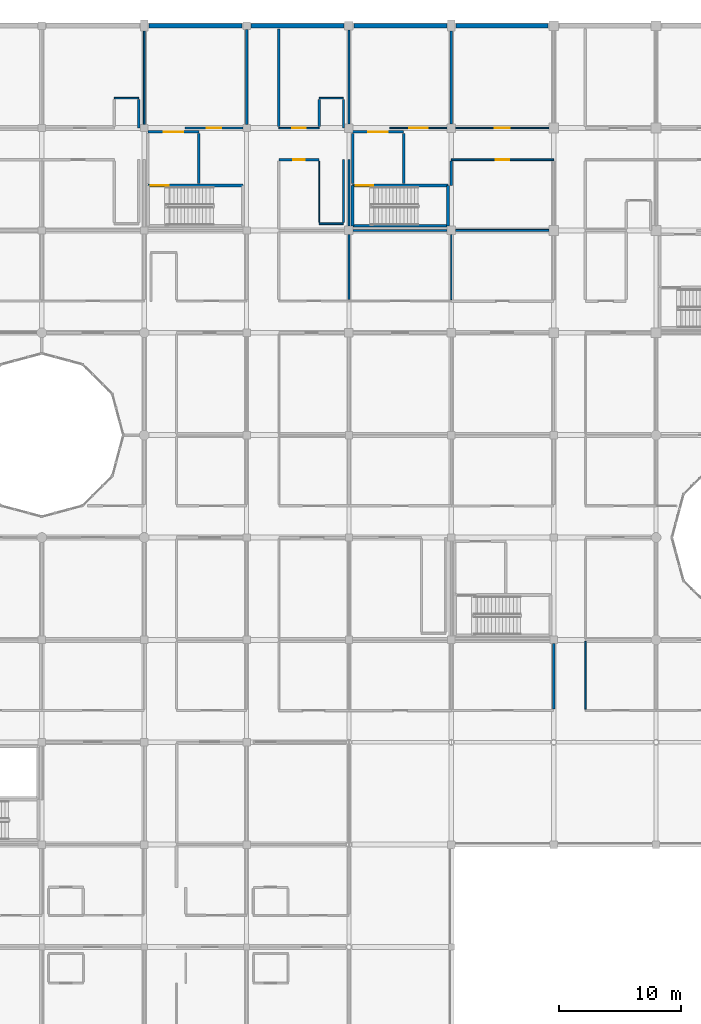
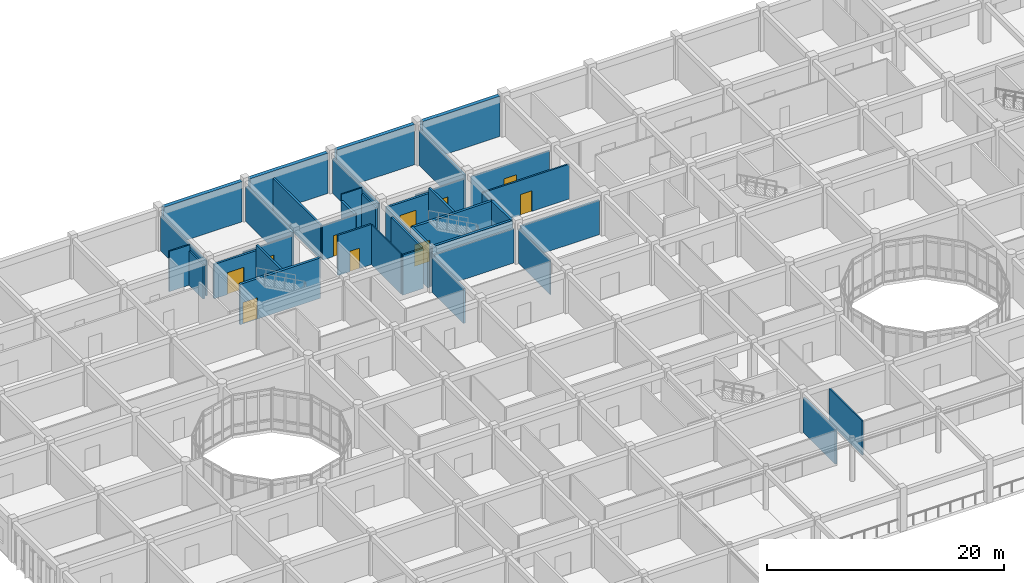
# One storey, part 110 of 144: 41 walls, 10 doors, 10 openings.
"""IFC4 building model written with IfcOpenShell, lengths in metres."""

import ifcopenshell
import ifcopenshell.guid

model = None  # the IFC model being written
_history = None  # IfcOwnerHistory: only IFC2X3 demands one
_inside = {}  # id of a spatial element -> (the spatial element, [elements in it])
_under = {}  # id of a project, library or spatial element -> (it, [spatial elements below it])
_declared = {}  # id of a project -> (the project, [libraries it declares])
_typed = {}  # id of a type object -> (the type object, [elements of that type])
_made_of = {}  # id of a material, layer set ... -> (it, [elements and type objects made of it])


def new_model(schema):
    """Start an empty IFC model of exactly this schema.

    Asked for "IFC4X3", IfcOpenShell would pick the latest addendum, in which some entities
    have other attributes; the version numbers below select the first issue.
    IFC2X3 requires an IfcOwnerHistory on every rooted entity: one is made here for all.
    """
    global model, _history
    if schema == "IFC4X3":
        model = ifcopenshell.file(schema_version=(4, 3, 0, 0))
    else:
        model = ifcopenshell.file(schema=schema)
    _inside.clear()
    _under.clear()
    _declared.clear()
    _typed.clear()
    _made_of.clear()
    _history = None
    if model.schema == "IFC2X3":
        org = make("IfcOrganization", Name="unknown")
        user = make(
            "IfcPersonAndOrganization",
            ThePerson=make("IfcPerson", FamilyName="unknown"),
            TheOrganization=org,
        )
        app = make(
            "IfcApplication",
            ApplicationDeveloper=org,
            Version="unknown",
            ApplicationFullName="unknown",
            ApplicationIdentifier="unknown",
        )
        _history = make(
            "IfcOwnerHistory",
            OwningUser=user,
            OwningApplication=app,
            ChangeAction="ADDED",
            CreationDate=0,
        )
    return model


def make(cls, **values):
    """One entity of the class cls with the attributes given. An attribute that is None is left unset."""
    return model.create_entity(
        cls, **{name: value for name, value in values.items() if value is not None}
    )


def rooted(cls, **values):
    """An entity with a GlobalId (a new one), such as an element, a storey or a relation."""
    return make(cls, GlobalId=ifcopenshell.guid.new(), OwnerHistory=_history, **values)


def si_unit(unit_type, name, prefix=None):
    """IfcSIUnit, for example si_unit("LENGTHUNIT", "METRE", prefix="MILLI")."""
    return make("IfcSIUnit", UnitType=unit_type, Prefix=prefix, Name=name)


def assignment(units):
    """IfcUnitAssignment: the units of a project."""
    return None if units is None else make("IfcUnitAssignment", Units=units)


def point(xyz):
    """IfcCartesianPoint."""
    return None if xyz is None else make("IfcCartesianPoint", Coordinates=xyz)


def direction(xyz):
    """IfcDirection."""
    return None if xyz is None else make("IfcDirection", DirectionRatios=xyz)


def frame(location, z_axis=None, x_axis=None):
    """IfcAxis2Placement3D, a coordinate frame: its origin and axes. An axis left out is left unset."""
    return make(
        "IfcAxis2Placement3D",
        Location=point(location),
        Axis=direction(z_axis),
        RefDirection=direction(x_axis),
    )


def frame_2d(location, x_axis=None):
    """IfcAxis2Placement2D, a coordinate frame in the plane: its origin and x axis."""
    return make(
        "IfcAxis2Placement2D", Location=point(location), RefDirection=direction(x_axis)
    )


def origin():
    """The frame at (0, 0, 0) with its axes left unset."""
    return frame((0.0, 0.0, 0.0))


def place(relative_to, where):
    """IfcLocalPlacement: puts the frame where relative to a parent placement (None: the world)."""
    return make(
        "IfcLocalPlacement", PlacementRelTo=relative_to, RelativePlacement=where
    )


def context(
    kind, dimensions, precision=None, world=None, true_north=None, identifier=None
):
    """IfcGeometricRepresentationContext, for example the 3D "Model" context."""
    return make(
        "IfcGeometricRepresentationContext",
        ContextIdentifier=identifier,
        ContextType=kind,
        CoordinateSpaceDimension=dimensions,
        Precision=precision,
        WorldCoordinateSystem=world,
        TrueNorth=true_north,
    )


def subcontext(parent, identifier, kind, view, scale=None):
    """IfcGeometricRepresentationSubContext, for example "Body" below "Model"."""
    return make(
        "IfcGeometricRepresentationSubContext",
        ContextIdentifier=identifier,
        ContextType=kind,
        ParentContext=parent,
        TargetScale=scale,
        TargetView=view,
    )


def project(units=None, contexts=None):
    """IfcProject with its units and contexts."""
    return rooted(
        "IfcProject",
        Name="project",
        RepresentationContexts=contexts,
        UnitsInContext=assignment(units),
    )


def spatial(cls, under=None, at=None, **own):
    """A site, building, storey or space (cls), placed at a placement, below another one or the project."""
    s = rooted(cls, ObjectPlacement=at, **own)
    if under is not None:
        _under.setdefault(under.id(), (under, []))[1].append(s)
    return s


def profile(cls, at=None, kind="AREA", **sizes):
    """A parametric profile (cls). Its sizes go by their IFC names, for example OverallWidth=200.0."""
    return make(cls, ProfileType=kind, Position=at, **sizes)


def rectangle(**sizes):
    """IfcRectangleProfileDef."""
    return profile("IfcRectangleProfileDef", **sizes)


def extrude(swept, where, along, depth):
    """IfcExtrudedAreaSolid: the profile swept, set in the frame where, extruded along a direction by depth."""
    return make(
        "IfcExtrudedAreaSolid",
        SweptArea=swept,
        Position=where,
        ExtrudedDirection=direction(along),
        Depth=depth,
    )


def shape(context_of_items, identifier, shape_type, items):
    """IfcShapeRepresentation: the items that make up one representation, for example the "Body"."""
    return make(
        "IfcShapeRepresentation",
        ContextOfItems=context_of_items,
        RepresentationIdentifier=identifier,
        RepresentationType=shape_type,
        Items=items,
    )


def material(Name=None, Category=None):
    """IfcMaterial."""
    return make("IfcMaterial", Name=Name, Category=Category)


def layer(
    of_material, thickness, ventilated=None, Name=None, Category=None, Priority=None
):
    """IfcMaterialLayer: one layer of a wall or slab, of a material (None: an air gap)."""
    return make(
        "IfcMaterialLayer",
        Material=of_material,
        LayerThickness=thickness,
        IsVentilated=ventilated,
        Name=Name,
        Category=Category,
        Priority=Priority,
    )


def layer_set(layers, Name=None):
    """IfcMaterialLayerSet."""
    return make("IfcMaterialLayerSet", MaterialLayers=layers, LayerSetName=Name)


def made_of(thing, what):
    """Note that an element or type object is made of a material, layer set ...; save() writes the relation."""
    if what is not None:
        _made_of.setdefault(what.id(), (what, []))[1].append(thing)
    return thing


def type_object(cls, material=None, **own):
    """A type object (cls), such as IfcWallType, which elements share."""
    return made_of(rooted(cls, **own), material)


def element(
    cls,
    number,
    at=None,
    inside=None,
    cuts=None,
    type_object=None,
    material=None,
    context=None,
    identifier="Body",
    shape_type=None,
    held_by="IfcProductDefinitionShape",
    body=None,
    shapes=None,
    **own,
):
    """One element of the class cls, such as IfcWall. Its Tag is "e" and its number.

    at: its placement. inside: the storey or other place that contains it. cuts: it is an
    opening in that element (IfcRelVoidsElement). A single representation is given by context,
    identifier, shape_type and body (its items); several are given by shapes. held_by: the class
    of the entity that holds the representations. save() writes the other relations.
    """
    e = rooted(cls, Tag="e%d" % number, ObjectPlacement=at, **own)
    if body is not None:
        shapes = [shape(context, identifier, shape_type, body)]
    if shapes is not None:
        e.Representation = make(held_by, Representations=shapes)
    if inside is not None:
        _inside.setdefault(inside.id(), (inside, []))[1].append(e)
    if cuts is not None:
        rooted(
            "IfcRelVoidsElement", RelatingBuildingElement=cuts, RelatedOpeningElement=e
        )
    if type_object is not None:
        _typed.setdefault(type_object.id(), (type_object, []))[1].append(e)
    return made_of(e, material)


def fill(opening, filler):
    """IfcRelFillsElement: the door or window that sits in an opening."""
    return rooted(
        "IfcRelFillsElement",
        RelatingOpeningElement=opening,
        RelatedBuildingElement=filler,
    )


def aggregate(whole, parts):
    """IfcRelAggregates: a whole, such as a stair, and the parts it consists of."""
    return rooted("IfcRelAggregates", RelatingObject=whole, RelatedObjects=parts)


def save(model, path):
    """Write the relations noted so far, then the file.

    IfcRelAggregates (storeys below a building ...), IfcRelContainedInSpatialStructure (elements
    in a storey), IfcRelDefinesByType, IfcRelAssociatesMaterial and IfcRelDeclares: one each for
    every whole, place, type object, material and project.
    """
    for whole, parts in _under.values():
        aggregate(whole, parts)
    for where, things in _inside.values():
        rooted(
            "IfcRelContainedInSpatialStructure",
            RelatedElements=things,
            RelatingStructure=where,
        )
    for kind, things in _typed.values():
        rooted("IfcRelDefinesByType", RelatedObjects=things, RelatingType=kind)
    for what, things in _made_of.values():
        rooted("IfcRelAssociatesMaterial", RelatedObjects=things, RelatingMaterial=what)
    for by, libraries in _declared.values():
        rooted("IfcRelDeclares", RelatingContext=by, RelatedDefinitions=libraries)
    model.write(path)


model = new_model("IFC4")

# Units and contexts
model_context = context("Model", 3, precision=1e-05, world=origin(), true_north=direction((0.0, 1.0)))
body_context = subcontext(model_context, "Body", "Model", "MODEL_VIEW")
ifc_project = project(units=[si_unit("LENGTHUNIT", "METRE"), si_unit("AREAUNIT", "SQUARE_METRE"), si_unit("VOLUMEUNIT", "CUBIC_METRE"), si_unit("PLANEANGLEUNIT", "RADIAN"), si_unit("MASSUNIT", "GRAM", prefix="KILO")], contexts=[model_context])

# Site, building, storey
site_placement = place(None, origin())
site = spatial("IfcSite", under=ifc_project, at=site_placement, CompositionType="ELEMENT")
building_placement = place(site_placement, origin())
building = spatial("IfcBuilding", under=site, at=building_placement, Name="Bramfleet General Hospital", CompositionType="ELEMENT")
storey_placement = place(building_placement, frame((0.0, 0.0, 4.800048828125)))
storey = spatial("IfcBuildingStorey", under=building, at=storey_placement, Name="L01", CompositionType="ELEMENT", Elevation=4.800048828125)

# Walls
ifc_material_1 = material(Name="Concrete C35/45", Category="concrete")
ifc_layer_1 = layer(ifc_material_1, 0.360107421875, Name="WT-EW-02")
ifc_layer_set_1 = layer_set([ifc_layer_1], Name="Concrete C35/45")
wall_type_1 = type_object("IfcWallType", Name="WT-EW-02", PredefinedType="SOLIDWALL", material=ifc_layer_set_1)
wall_1_placement = place(storey_placement, frame((33.97509765625, 117.60009765625, 0.0), z_axis=(0.0, 0.0, 1.0), x_axis=(1.0, 0.0, 0.0)))
element("IfcWall", 1, at=wall_1_placement, inside=storey, type_object=wall_type_1, Name="L01 North REI 90-M Party Wall 160", PredefinedType="SOLIDWALL", context=body_context, shape_type="SweptSolid", body=[
    extrude(rectangle(XDim=7.64990234375, YDim=0.360107421875, at=frame_2d((3.824951171875, 0.0))), origin(), (0.0, 0.0, 1.0), 4.14990234375),
])
for number, where, z_axis, x_axis, name in (
    (2, (42.375, 117.60009765625, 0.0), (0.0, 0.0, 1.0), (1.0, 0.0, 0.0), "L01 North REI 90-M Party Wall 161"),
    (3, (50.824951171875, 117.60009765625, 0.0), (0.0, 0.0, 1.0), (1.0, 0.0, 0.0), "L01 North REI 90-M Party Wall 162"),
):
    element("IfcWall", number, at=place(storey_placement, frame(where, z_axis=z_axis, x_axis=x_axis)), inside=storey, type_object=wall_type_1, Name=name, PredefinedType="SOLIDWALL", context=body_context, shape_type="SweptSolid", body=[
        extrude(rectangle(XDim=7.60009765625, YDim=0.360107421875, at=frame_2d((3.800048828125, 0.0))), origin(), (0.0, 0.0, 1.0), 4.14990234375),
    ])
wall_2_placement = place(storey_placement, frame((59.175048828125, 117.60009765625, 0.0), z_axis=(0.0, 0.0, 1.0), x_axis=(1.0, 0.0, 0.0)))
element("IfcWall", 4, at=wall_2_placement, inside=storey, type_object=wall_type_1, Name="L01 North REI 90-M Party Wall 163", PredefinedType="SOLIDWALL", context=body_context, shape_type="SweptSolid", body=[
    extrude(rectangle(XDim=7.550048828125, YDim=0.360107421875, at=frame_2d((3.77490234375, 0.0))), origin(), (0.0, 0.0, 1.0), 4.14990234375),
])
ifc_layer_2 = layer(ifc_material_1, 0.219970703125, Name="WT-IW-01")
ifc_layer_set_2 = layer_set([ifc_layer_2], Name="Concrete C35/45")
wall_type_2 = type_object("IfcWallType", Name="WT-IW-01", PredefinedType="PARTITIONING", material=ifc_layer_set_2)
wall_3_placement = place(storey_placement, frame((47.949951171875, 109.31494140625, 0.0), z_axis=(0.0, 0.0, 1.0), x_axis=(0.0, 1.0, 0.0)))
element("IfcWall", 5, at=wall_3_placement, inside=storey, type_object=wall_type_2, Name="L01 Interior Partition IW-L01-1741", PredefinedType="PARTITIONING", context=body_context, shape_type="SweptSolid", body=[
    extrude(rectangle(XDim=2.219970703125, YDim=0.219970703125, at=frame_2d((1.10986328125, 0.0))), origin(), (0.0, 0.0, 1.0), 3.5400390625),
])
wall_4_placement = place(storey_placement, frame((58.800048828125, 104.5, 0.0), z_axis=(0.0, 0.0, 1.0), x_axis=(0.0, 1.0, 0.0)))
element("IfcWall", 6, at=wall_4_placement, inside=storey, type_object=wall_type_2, Name="L01 Interior Partition IW-L01-1765", PredefinedType="PARTITIONING", context=body_context, shape_type="SweptSolid", body=[
    extrude(rectangle(XDim=1.985107421875, YDim=0.219970703125, at=frame_2d((0.99267578125, 0.0))), origin(), (0.0, 0.0, 1.0), 3.58984375),
])
ifc_layer_3 = layer(ifc_material_1, 0.205078125, Name="WT-IW-02")
ifc_layer_set_3 = layer_set([ifc_layer_3], Name="Concrete C35/45")
wall_type_3 = type_object("IfcWallType", Name="WT-IW-02", PredefinedType="PARTITIONING", material=ifc_layer_set_3)
wall_5_placement = place(storey_placement, frame((38.080078125, 104.639892578125, 0.0), z_axis=(0.0, 0.0, 1.0), x_axis=(0.0, 1.0, 0.0)))
element("IfcWall", 7, at=wall_5_placement, inside=storey, type_object=wall_type_3, Name="L01 C8 Lobby East Shaft Wall", PredefinedType="PARTITIONING", context=body_context, shape_type="SweptSolid", body=[
    extrude(rectangle(XDim=4.1201171875, YDim=0.205078125, at=frame_2d((2.06005859375, 0.0))), origin(), (0.0, 0.0, 1.0), 4.139892578125),
])

# Wall, opening, door
wall_6_placement = place(storey_placement, frame((33.89990234375, 108.8798828125, 0.0), z_axis=(0.0, 0.0, 1.0), x_axis=(1.0, 0.0, 0.0)))
wall_6 = element("IfcWall", 8, at=wall_6_placement, inside=storey, type_object=wall_type_3, Name="L01 C8 Lobby North Compartment Wall", PredefinedType="PARTITIONING", context=body_context, shape_type="SweptSolid", body=[
    extrude(rectangle(XDim=4.18017578125, YDim=0.205078125, at=frame_2d((2.090087890625, 0.0))), origin(), (0.0, 0.0, 1.0), 3.5400390625),
])
opening_1_placement = place(wall_6_placement, frame((1.2900390625, 0.0, 0.0)))
opening_1 = element("IfcOpeningElement", 9, at=opening_1_placement, cuts=wall_6, Name="Opening D0102", PredefinedType="OPENING", context=body_context, shape_type="SweptSolid", body=[
    extrude(rectangle(XDim=1.60009765625, YDim=2.25, at=frame_2d((0.800048828125, 1.125))), frame((0.0, 0.112548828125, 0.0), z_axis=(0.0, -1.0, 0.0), x_axis=(1.0, 0.0, 0.0)), (0.0, 0.0, 1.0), 0.22509765625),
])
ifc_material_2 = material(Name="Stainless steel and acoustic timber leaf", Category="steel")
door_type_1 = type_object("IfcDoorType", Name="DR-D-04", OperationType="NOTDEFINED", PredefinedType="DOOR", material=ifc_material_2)
door_1_placement = place(opening_1_placement, origin())
door_1 = element("IfcDoor", 10, at=door_1_placement, inside=storey, type_object=door_type_1, Name="L01 C8 Lobby Fire Door D0102", OperationType="DOUBLE_SWING_LEFT", OverallHeight=2.25, OverallWidth=1.60009765625, PredefinedType="DOOR", context=body_context, shape_type="SweptSolid", body=[
    extrude(rectangle(XDim=1.60009765625, YDim=2.25, at=frame_2d((0.800048828125, 1.125))), frame((0.0, 0.02490234375, 0.0), z_axis=(0.0, -1.0, 0.0), x_axis=(1.0, 0.0, 0.0)), (0.0, 0.0, 1.0), 0.050048828125),
])
fill(opening_1, door_1)

# Walls
wall_7_placement = place(storey_placement, frame((54.8798828125, 104.639892578125, 0.0), z_axis=(0.0, 0.0, 1.0), x_axis=(0.0, 1.0, 0.0)))
element("IfcWall", 11, at=wall_7_placement, inside=storey, type_object=wall_type_3, Name="L01 C14 Lobby East Shaft Wall", PredefinedType="PARTITIONING", context=body_context, shape_type="SweptSolid", body=[
    extrude(rectangle(XDim=4.1201171875, YDim=0.205078125, at=frame_2d((2.06005859375, 0.0))), origin(), (0.0, 0.0, 1.0), 4.139892578125),
])
wall_8_placement = place(storey_placement, frame((50.699951171875, 104.639892578125, 0.0), z_axis=(0.0, 0.0, 1.0), x_axis=(0.0, 1.0, 0.0)))
element("IfcWall", 12, at=wall_8_placement, inside=storey, type_object=wall_type_3, Name="L01 C14 Lobby West Compartment Wall", PredefinedType="PARTITIONING", context=body_context, shape_type="SweptSolid", body=[
    extrude(rectangle(XDim=4.1201171875, YDim=0.205078125, at=frame_2d((2.06005859375, 0.0))), origin(), (0.0, 0.0, 1.0), 3.58984375),
])

# Wall, opening, door
wall_9_placement = place(storey_placement, frame((50.699951171875, 108.8798828125, 0.0), z_axis=(0.0, 0.0, 1.0), x_axis=(1.0, 0.0, 0.0)))
wall_9 = element("IfcWall", 13, at=wall_9_placement, inside=storey, type_object=wall_type_3, Name="L01 C14 Lobby North Compartment Wall", PredefinedType="PARTITIONING", context=body_context, shape_type="SweptSolid", body=[
    extrude(rectangle(XDim=4.179931640625, YDim=0.205078125, at=frame_2d((2.08984375, 0.0))), origin(), (0.0, 0.0, 1.0), 3.5400390625),
])
opening_2_placement = place(wall_9_placement, frame((1.2900390625, 0.0, 0.0)))
opening_2 = element("IfcOpeningElement", 14, at=opening_2_placement, cuts=wall_9, Name="Opening D0180", PredefinedType="OPENING", context=body_context, shape_type="SweptSolid", body=[
    extrude(rectangle(XDim=1.60009765625, YDim=2.25, at=frame_2d((0.800048828125, 1.125))), frame((0.0, 0.112548828125, 0.0), z_axis=(0.0, -1.0, 0.0), x_axis=(1.0, 0.0, 0.0)), (0.0, 0.0, 1.0), 0.22509765625),
])
door_2_placement = place(opening_2_placement, origin())
door_2 = element("IfcDoor", 15, at=door_2_placement, inside=storey, type_object=door_type_1, Name="L01 C14 Lobby Fire Door D0180", OperationType="DOUBLE_SWING_LEFT", OverallHeight=2.25, OverallWidth=1.60009765625, PredefinedType="DOOR", context=body_context, shape_type="SweptSolid", body=[
    extrude(rectangle(XDim=1.60009765625, YDim=2.25, at=frame_2d((0.800048828125, 1.125))), frame((0.0, 0.02490234375, 0.0), z_axis=(0.0, -1.0, 0.0), x_axis=(1.0, 0.0, 0.0)), (0.0, 0.0, 1.0), 0.050048828125),
])
fill(opening_2, door_2)

# Walls
wall_10_placement = place(storey_placement, frame((42.0, 109.4951171875, 0.0), z_axis=(0.0, 0.0, 1.0), x_axis=(0.0, 1.0, 0.0)))
element("IfcWall", 16, at=wall_10_placement, inside=storey, type_object=wall_type_3, Name="L01 Interior Partition IW-L01-1718", PredefinedType="PARTITIONING", context=body_context, shape_type="SweptSolid", body=[
    extrude(rectangle(XDim=7.809814453125, YDim=0.205078125, at=frame_2d((3.90478515625, 0.0))), origin(), (0.0, 0.0, 1.0), 3.58984375),
])
wall_11_placement = place(storey_placement, frame((58.800048828125, 109.544921875, 0.0), z_axis=(0.0, 0.0, 1.0), x_axis=(0.0, 1.0, 0.0)))
element("IfcWall", 17, at=wall_11_placement, inside=storey, type_object=wall_type_3, Name="L01 Interior Partition IW-L01-1766", PredefinedType="PARTITIONING", context=body_context, shape_type="SweptSolid", body=[
    extrude(rectangle(XDim=7.610107421875, YDim=0.205078125, at=frame_2d((3.80517578125, 0.0))), origin(), (0.0, 0.0, 1.0), 3.58984375),
])
ifc_layer_4 = layer(ifc_material_1, 0.18994140625, Name="WT-IW-03")
ifc_layer_set_4 = layer_set([ifc_layer_4], Name="Concrete C35/45")
wall_type_4 = type_object("IfcWallType", Name="WT-IW-03", PredefinedType="PARTITIONING", material=ifc_layer_set_4)
wall_12_placement = place(storey_placement, frame((44.64990234375, 109.31494140625, 0.0), z_axis=(0.0, 0.0, 1.0), x_axis=(0.0, 1.0, 0.0)))
element("IfcWall", 18, at=wall_12_placement, inside=storey, type_object=wall_type_4, Name="L01 Interior Partition IW-L01-1731", PredefinedType="PARTITIONING", context=body_context, shape_type="SweptSolid", body=[
    extrude(rectangle(XDim=8.005126953125, YDim=0.18994140625, at=frame_2d((4.00244140625, 0.0))), origin(), (0.0, 0.0, 1.0), 3.5400390625),
])
wall_13_placement = place(storey_placement, frame((50.39990234375, 95.114990234375, 0.0), z_axis=(0.0, 0.0, 1.0), x_axis=(0.0, 1.0, 0.0)))
element("IfcWall", 19, at=wall_13_placement, inside=storey, type_object=wall_type_4, Name="L01 Interior Partition IW-L01-1755", PredefinedType="PARTITIONING", context=body_context, shape_type="SweptSolid", body=[
    extrude(rectangle(XDim=5.340087890625, YDim=0.18994140625, at=frame_2d((2.669921875, 0.0))), origin(), (0.0, 0.0, 1.0), 3.58984375),
])
wall_14_placement = place(storey_placement, frame((67.199951171875, 61.514892578125, 0.0), z_axis=(0.0, 0.0, 1.0), x_axis=(0.0, 1.0, 0.0)))
element("IfcWall", 20, at=wall_14_placement, inside=storey, type_object=wall_type_4, Name="L01 Interior Partition IW-L01-1767", PredefinedType="PARTITIONING", context=body_context, shape_type="SweptSolid", body=[
    extrude(rectangle(XDim=5.39013671875, YDim=0.18994140625, at=frame_2d((2.695068359375, 0.0))), origin(), (0.0, 0.0, 1.0), 3.58984375),
])
ifc_layer_5 = layer(ifc_material_1, 0.179931640625, Name="WT-IW-04")
ifc_layer_set_5 = layer_set([ifc_layer_5], Name="Concrete C35/45")
wall_type_5 = type_object("IfcWallType", Name="WT-IW-04", PredefinedType="PARTITIONING", material=ifc_layer_set_5)
wall_15_placement = place(storey_placement, frame((49.949951171875, 101.465087890625, 0.0), z_axis=(0.0, 0.0, 1.0), x_axis=(0.0, 1.0, 0.0)))
element("IfcWall", 21, at=wall_15_placement, inside=storey, type_object=wall_type_5, Name="L01 Interior Partition IW-L01-1744", PredefinedType="PARTITIONING", context=body_context, shape_type="SweptSolid", body=[
    extrude(rectangle(XDim=5.135009765625, YDim=0.179931640625, at=frame_2d((2.5673828125, 0.0))), origin(), (0.0, 0.0, 1.0), 4.139892578125),
])
wall_16_placement = place(storey_placement, frame((50.39990234375, 101.14501953125, 0.0), z_axis=(0.0, 0.0, 1.0), x_axis=(0.0, 1.0, 0.0)))
element("IfcWall", 22, at=wall_16_placement, inside=storey, type_object=wall_type_5, Name="L01 Interior Partition IW-L01-1756", PredefinedType="PARTITIONING", context=body_context, shape_type="SweptSolid", body=[
    extrude(rectangle(XDim=5.455078125, YDim=0.179931640625, at=frame_2d((2.7275390625, 0.0))), origin(), (0.0, 0.0, 1.0), 3.58984375),
])
ifc_material_3 = material(Name="Gypsum plasterboard on acoustic steel studs", Category="steel")
ifc_layer_6 = layer(ifc_material_3, 0.169921875, Name="WT-IW-05")
ifc_layer_set_6 = layer_set([ifc_layer_6], Name="Gypsum plasterboard on acoustic steel studs")
wall_type_6 = type_object("IfcWallType", Name="WT-IW-05", PredefinedType="PARTITIONING", material=ifc_layer_set_6)
wall_17_placement = place(storey_placement, frame((50.7451171875, 100.800048828125, 0.0), z_axis=(0.0, 0.0, 1.0), x_axis=(1.0, 0.0, 0.0)))
element("IfcWall", 23, at=wall_17_placement, inside=storey, type_object=wall_type_6, Name="L01 Interior Partition IW-L01-1517", PredefinedType="PARTITIONING", context=body_context, shape_type="SweptSolid", body=[
    extrude(rectangle(XDim=7.7099609375, YDim=0.169921875, at=frame_2d((3.85498046875, 0.0))), origin(), (0.0, 0.0, 1.0), 3.5400390625),
])

# Wall, opening, door
wall_18_placement = place(storey_placement, frame((44.64990234375, 106.60009765625, 0.0), z_axis=(0.0, 0.0, 1.0), x_axis=(1.0, 0.0, 0.0)))
wall_18 = element("IfcWall", 24, at=wall_18_placement, inside=storey, type_object=wall_type_6, Name="L01 Interior Partition IW-L01-1541", PredefinedType="PARTITIONING", context=body_context, shape_type="SweptSolid", body=[
    extrude(rectangle(XDim=3.300048828125, YDim=0.169921875, at=frame_2d((1.64990234375, 0.0))), origin(), (0.0, 0.0, 1.0), 4.139892578125),
])
opening_3_placement = place(wall_18_placement, frame((1.175048828125, 0.0, 0.0)))
opening_3 = element("IfcOpeningElement", 25, at=opening_3_placement, cuts=wall_18, Name="Opening D0714", PredefinedType="OPENING", context=body_context, shape_type="SweptSolid", body=[
    extrude(rectangle(XDim=0.949951171875, YDim=2.10009765625, at=frame_2d((0.47509765625, 1.050048828125))), frame((0.0, 0.094970703125, 0.0), z_axis=(0.0, -1.0, 0.0), x_axis=(1.0, 0.0, 0.0)), (0.0, 0.0, 1.0), 0.18994140625),
])
door_type_2 = type_object("IfcDoorType", Name="DR-D-10", OperationType="NOTDEFINED", PredefinedType="DOOR", material=ifc_material_2)
door_3_placement = place(opening_3_placement, origin())
door_3 = element("IfcDoor", 26, at=door_3_placement, inside=storey, type_object=door_type_2, Name="Endoscopy and Day Surgery Procedure Room L01-0512 Door D0714", OperationType="SINGLE_SWING_LEFT", OverallHeight=2.10009765625, OverallWidth=0.949951171875, PredefinedType="DOOR", context=body_context, shape_type="SweptSolid", body=[
    extrude(rectangle(XDim=0.949951171875, YDim=2.10009765625, at=frame_2d((0.47509765625, 1.050048828125))), frame((0.0, 0.02490234375, 0.0), z_axis=(0.0, -1.0, 0.0), x_axis=(1.0, 0.0, 0.0)), (0.0, 0.0, 1.0), 0.050048828125),
])
fill(opening_3, door_3)

# Walls
for number, where, z_axis, x_axis, name in (
    (27, (33.14990234375, 109.199951171875, 0.0), (0.0, 0.0, 1.0), (0.0, 1.0, 0.0), "L01 Interior Partition IW-L01-1673"),
    (28, (49.949951171875, 109.199951171875, 0.0), (0.0, 0.0, 1.0), (0.0, 1.0, 0.0), "L01 Interior Partition IW-L01-1745"),
):
    element("IfcWall", number, at=place(storey_placement, frame(where, z_axis=z_axis, x_axis=x_axis)), inside=storey, type_object=wall_type_6, Name=name, PredefinedType="PARTITIONING", context=body_context, shape_type="SweptSolid", body=[
        extrude(rectangle(XDim=2.3349609375, YDim=0.169921875, at=frame_2d((1.16748046875, 0.0))), origin(), (0.0, 0.0, 1.0), 3.5400390625),
    ])
wall_19_placement = place(storey_placement, frame((50.39990234375, 109.544921875, 0.0), z_axis=(0.0, 0.0, 1.0), x_axis=(0.0, 1.0, 0.0)))
element("IfcWall", 29, at=wall_19_placement, inside=storey, type_object=wall_type_6, Name="L01 Interior Partition IW-L01-1757", PredefinedType="PARTITIONING", context=body_context, shape_type="SweptSolid", body=[
    extrude(rectangle(XDim=7.7099609375, YDim=0.169921875, at=frame_2d((3.85498046875, 0.0))), origin(), (0.0, 0.0, 1.0), 3.58984375),
])
ifc_layer_7 = layer(ifc_material_3, 0.159912109375, Name="WT-IW-06")
ifc_layer_set_7 = layer_set([ifc_layer_7], Name="Gypsum plasterboard on acoustic steel studs")
wall_type_7 = type_object("IfcWallType", Name="WT-IW-06", PredefinedType="PARTITIONING", material=ifc_layer_set_7)
wall_20_placement = place(storey_placement, frame((59.14501953125, 100.800048828125, 0.0), z_axis=(0.0, 0.0, 1.0), x_axis=(1.0, 0.0, 0.0)))
element("IfcWall", 30, at=wall_20_placement, inside=storey, type_object=wall_type_7, Name="L01 Interior Partition IW-L01-1518", PredefinedType="PARTITIONING", context=body_context, shape_type="SweptSolid", body=[
    extrude(rectangle(XDim=7.659912109375, YDim=0.159912109375, at=frame_2d((3.830078125, 0.0))), origin(), (0.0, 0.0, 1.0), 3.5400390625),
])

# Wall, opening, door
wall_21_placement = place(storey_placement, frame((58.800048828125, 106.60009765625, 0.0), z_axis=(0.0, 0.0, 1.0), x_axis=(1.0, 0.0, 0.0)))
wall_21 = element("IfcWall", 31, at=wall_21_placement, inside=storey, type_object=wall_type_7, Name="L01 Interior Partition IW-L01-1542", PredefinedType="PARTITIONING", context=body_context, shape_type="SweptSolid", body=[
    extrude(rectangle(XDim=8.39990234375, YDim=0.159912109375, at=frame_2d((4.199951171875, 0.0))), origin(), (0.0, 0.0, 1.0), 3.58984375),
])
opening_4_placement = place(wall_21_placement, frame((3.659912109375, 0.0, 0.0)))
opening_4 = element("IfcOpeningElement", 32, at=opening_4_placement, cuts=wall_21, Name="Opening D0726", PredefinedType="OPENING", context=body_context, shape_type="SweptSolid", body=[
    extrude(rectangle(XDim=1.080078125, YDim=2.1201171875, at=frame_2d((0.5400390625, 1.06005859375))), frame((0.0, 0.08984375, 0.0), z_axis=(0.0, -1.0, 0.0), x_axis=(1.0, 0.0, 0.0)), (0.0, 0.0, 1.0), 0.179931640625),
])
door_type_3 = type_object("IfcDoorType", Name="DR-D-22", OperationType="NOTDEFINED", PredefinedType="DOOR", material=ifc_material_2)
door_4_placement = place(opening_4_placement, origin())
door_4 = element("IfcDoor", 33, at=door_4_placement, inside=storey, type_object=door_type_3, Name="Pathology and Clinical Laboratory L01-0712A Door D0726", OperationType="SINGLE_SWING_LEFT", OverallHeight=2.1201171875, OverallWidth=1.080078125, PredefinedType="DOOR", context=body_context, shape_type="SweptSolid", body=[
    extrude(rectangle(XDim=1.080078125, YDim=2.1201171875, at=frame_2d((0.5400390625, 1.06005859375))), frame((0.0, 0.02490234375, 0.0), z_axis=(0.0, -1.0, 0.0), x_axis=(1.0, 0.0, 0.0)), (0.0, 0.0, 1.0), 0.050048828125),
])
fill(opening_4, door_4)

# Walls
wall_22_placement = place(storey_placement, frame((33.60009765625, 109.4951171875, 0.0), z_axis=(0.0, 0.0, 1.0), x_axis=(0.0, 1.0, 0.0)))
element("IfcWall", 34, at=wall_22_placement, inside=storey, type_object=wall_type_7, Name="L01 Interior Partition IW-L01-1686", PredefinedType="PARTITIONING", context=body_context, shape_type="SweptSolid", body=[
    extrude(rectangle(XDim=7.659912109375, YDim=0.159912109375, at=frame_2d((3.830078125, 0.0))), origin(), (0.0, 0.0, 1.0), 3.58984375),
])
ifc_layer_8 = layer(ifc_material_3, 0.139892578125, Name="WT-IW-08")
ifc_layer_set_8 = layer_set([ifc_layer_8], Name="Gypsum plasterboard on acoustic steel studs")
wall_type_8 = type_object("IfcWallType", Name="WT-IW-08", PredefinedType="PARTITIONING", material=ifc_layer_set_8)
wall_23_placement = place(storey_placement, frame((47.949951171875, 101.35009765625, 0.0), z_axis=(0.0, 0.0, 1.0), x_axis=(1.0, 0.0, 0.0)))
element("IfcWall", 35, at=wall_23_placement, inside=storey, type_object=wall_type_8, Name="L01 Interior Partition IW-L01-1532", PredefinedType="PARTITIONING", context=body_context, shape_type="SweptSolid", body=[
    extrude(rectangle(XDim=2.0, YDim=0.139892578125, at=frame_2d((1.0, 0.0))), origin(), (0.0, 0.0, 1.0), 4.139892578125),
])

# Wall, opening, door
ifc_layer_9 = layer(ifc_material_3, 0.1298828125, Name="WT-IW-09")
ifc_layer_set_9 = layer_set([ifc_layer_9], Name="Gypsum plasterboard on acoustic steel studs")
wall_type_9 = type_object("IfcWallType", Name="WT-IW-09", PredefinedType="PARTITIONING", material=ifc_layer_set_9)
wall_24_placement = place(storey_placement, frame((36.949951171875, 109.199951171875, 0.0), z_axis=(0.0, 0.0, 1.0), x_axis=(1.0, 0.0, 0.0)))
wall_24 = element("IfcWall", 36, at=wall_24_placement, inside=storey, type_object=wall_type_9, Name="L01 Interior Partition IW-L01-1557", PredefinedType="PARTITIONING", context=body_context, shape_type="SweptSolid", body=[
    extrude(rectangle(XDim=4.755126953125, YDim=0.1298828125, at=frame_2d((2.37744140625, 0.0))), origin(), (0.0, 0.0, 1.0), 3.5400390625),
])
opening_5_placement = place(wall_24_placement, frame((1.767578125, 0.0, 0.0)))
opening_5 = element("IfcOpeningElement", 37, at=opening_5_placement, cuts=wall_24, Name="Opening D0695", PredefinedType="OPENING", context=body_context, shape_type="SweptSolid", body=[
    extrude(rectangle(XDim=1.219970703125, YDim=2.179931640625, at=frame_2d((0.60986328125, 1.08984375))), frame((0.0, 0.074951171875, 0.0), z_axis=(0.0, -1.0, 0.0), x_axis=(1.0, 0.0, 0.0)), (0.0, 0.0, 1.0), 0.14990234375),
])
door_type_4 = type_object("IfcDoorType", Name="DR-D-23", OperationType="NOTDEFINED", PredefinedType="DOOR", material=ifc_material_2)
door_5_placement = place(opening_5_placement, origin())
door_5 = element("IfcDoor", 38, at=door_5_placement, inside=storey, type_object=door_type_4, Name="Endoscopy and Day Surgery Procedure Room L01-0413 Door D0695", OperationType="SINGLE_SWING_RIGHT", OverallHeight=2.179931640625, OverallWidth=1.219970703125, PredefinedType="DOOR", context=body_context, shape_type="SweptSolid", body=[
    extrude(rectangle(XDim=1.219970703125, YDim=2.179931640625, at=frame_2d((0.60986328125, 1.08984375))), frame((0.0, 0.02490234375, 0.0), z_axis=(0.0, -1.0, 0.0), x_axis=(1.0, 0.0, 0.0)), (0.0, 0.0, 1.0), 0.050048828125),
])
fill(opening_5, door_5)

# Walls
wall_25_placement = place(storey_placement, frame((31.14990234375, 111.64990234375, 0.0), z_axis=(0.0, 0.0, 1.0), x_axis=(1.0, 0.0, 0.0)))
element("IfcWall", 39, at=wall_25_placement, inside=storey, type_object=wall_type_9, Name="L01 Interior Partition IW-L01-1569", PredefinedType="PARTITIONING", context=body_context, shape_type="SweptSolid", body=[
    extrude(rectangle(XDim=2.0, YDim=0.1298828125, at=frame_2d((1.0, 0.0))), origin(), (0.0, 0.0, 1.0), 4.139892578125),
])
wall_26_placement = place(storey_placement, frame((69.800048828125, 61.514892578125, 0.0), z_axis=(0.0, 0.0, 1.0), x_axis=(0.0, 1.0, 0.0)))
element("IfcWall", 40, at=wall_26_placement, inside=storey, type_object=wall_type_9, Name="L01 Interior Partition IW-L01-1773", PredefinedType="PARTITIONING", context=body_context, shape_type="SweptSolid", body=[
    extrude(rectangle(XDim=5.570068359375, YDim=0.1298828125, at=frame_2d((2.78515625, 0.0))), origin(), (0.0, 0.0, 1.0), 3.5400390625),
])

# Wall, opening, door
ifc_layer_10 = layer(ifc_material_3, 0.1201171875, Name="WT-IW-10")
ifc_layer_set_10 = layer_set([ifc_layer_10], Name="Gypsum plasterboard on acoustic steel studs")
wall_type_10 = type_object("IfcWallType", Name="WT-IW-10", PredefinedType="PARTITIONING", material=ifc_layer_set_10)
wall_27_placement = place(storey_placement, frame((44.64990234375, 109.199951171875, 0.0), z_axis=(0.0, 0.0, 1.0), x_axis=(1.0, 0.0, 0.0)))
wall_27 = element("IfcWall", 41, at=wall_27_placement, inside=storey, type_object=wall_type_10, Name="L01 Interior Partition IW-L01-1558", PredefinedType="PARTITIONING", context=body_context, shape_type="SweptSolid", body=[
    extrude(rectangle(XDim=3.300048828125, YDim=0.1201171875, at=frame_2d((1.64990234375, 0.0))), origin(), (0.0, 0.0, 1.0), 3.5400390625),
])
opening_6_placement = place(wall_27_placement, frame((1.10009765625, 0.0, 0.0)))
opening_6 = element("IfcOpeningElement", 42, at=opening_6_placement, cuts=wall_27, Name="Opening D0715", PredefinedType="OPENING", context=body_context, shape_type="SweptSolid", body=[
    extrude(rectangle(XDim=1.10009765625, YDim=2.14990234375, at=frame_2d((0.550048828125, 1.074951171875))), frame((0.0, 0.070068359375, 0.0), z_axis=(0.0, -1.0, 0.0), x_axis=(1.0, 0.0, 0.0)), (0.0, 0.0, 1.0), 0.14013671875),
])
door_type_5 = type_object("IfcDoorType", Name="DR-D-11", OperationType="NOTDEFINED", PredefinedType="DOOR", material=ifc_material_2)
door_6_placement = place(opening_6_placement, origin())
door_6 = element("IfcDoor", 43, at=door_6_placement, inside=storey, type_object=door_type_5, Name="Endoscopy and Day Surgery Procedure Room L01-0513 Door D0715", OperationType="SINGLE_SWING_RIGHT", OverallHeight=2.14990234375, OverallWidth=1.10009765625, PredefinedType="DOOR", context=body_context, shape_type="SweptSolid", body=[
    extrude(rectangle(XDim=1.10009765625, YDim=2.14990234375, at=frame_2d((0.550048828125, 1.074951171875))), frame((0.0, 0.02490234375, 0.0), z_axis=(0.0, -1.0, 0.0), x_axis=(1.0, 0.0, 0.0)), (0.0, 0.0, 1.0), 0.050048828125),
])
fill(opening_6, door_6)

# Wall
wall_28_placement = place(storey_placement, frame((47.949951171875, 111.64990234375, 0.0), z_axis=(0.0, 0.0, 1.0), x_axis=(1.0, 0.0, 0.0)))
element("IfcWall", 44, at=wall_28_placement, inside=storey, type_object=wall_type_10, Name="L01 Interior Partition IW-L01-1570", PredefinedType="PARTITIONING", context=body_context, shape_type="SweptSolid", body=[
    extrude(rectangle(XDim=2.0, YDim=0.1201171875, at=frame_2d((1.0, 0.0))), origin(), (0.0, 0.0, 1.0), 4.139892578125),
])

# Wall, opening, door
ifc_layer_11 = layer(ifc_material_3, 0.112060546875, Name="WT-IW-11")
ifc_layer_set_11 = layer_set([ifc_layer_11], Name="Gypsum plasterboard on acoustic steel studs")
wall_type_11 = type_object("IfcWallType", Name="WT-IW-11", PredefinedType="PARTITIONING", material=ifc_layer_set_11)
wall_29_placement = place(storey_placement, frame((53.75, 109.199951171875, 0.0), z_axis=(0.0, 0.0, 1.0), x_axis=(1.0, 0.0, 0.0)))
wall_29 = element("IfcWall", 45, at=wall_29_placement, inside=storey, type_object=wall_type_11, Name="L01 Interior Partition IW-L01-1559", PredefinedType="PARTITIONING", context=body_context, shape_type="SweptSolid", body=[
    extrude(rectangle(XDim=4.705078125, YDim=0.112060546875, at=frame_2d((2.3525390625, 0.0))), origin(), (0.0, 0.0, 1.0), 3.5400390625),
])
opening_7_placement = place(wall_29_placement, frame((1.58251953125, 0.0, 0.0)))
opening_7 = element("IfcOpeningElement", 46, at=opening_7_placement, cuts=wall_29, Name="Opening D0721", PredefinedType="OPENING", context=body_context, shape_type="SweptSolid", body=[
    extrude(rectangle(XDim=1.5400390625, YDim=2.239990234375, at=frame_2d((0.77001953125, 1.1201171875))), frame((0.0, 0.06591796875, 0.0), z_axis=(0.0, -1.0, 0.0), x_axis=(1.0, 0.0, 0.0)), (0.0, 0.0, 1.0), 0.132080078125),
])
door_type_6 = type_object("IfcDoorType", Name="DR-D-17", OperationType="NOTDEFINED", PredefinedType="DOOR", material=ifc_material_2)
door_7_placement = place(opening_7_placement, origin())
door_7 = element("IfcDoor", 47, at=door_7_placement, inside=storey, type_object=door_type_6, Name="Endoscopy and Day Surgery Procedure Room L01-0613 Door D0721", OperationType="SINGLE_SWING_RIGHT", OverallHeight=2.239990234375, OverallWidth=1.5400390625, PredefinedType="DOOR", context=body_context, shape_type="SweptSolid", body=[
    extrude(rectangle(XDim=1.5400390625, YDim=2.239990234375, at=frame_2d((0.77001953125, 1.1201171875))), frame((0.0, 0.02490234375, 0.0), z_axis=(0.0, -1.0, 0.0), x_axis=(1.0, 0.0, 0.0)), (0.0, 0.0, 1.0), 0.050048828125),
])
fill(opening_7, door_7)

ifc_layer_12 = layer(ifc_material_3, 0.10009765625, Name="WT-IW-12")
ifc_layer_set_12 = layer_set([ifc_layer_12], Name="Gypsum plasterboard on acoustic steel studs")
wall_type_12 = type_object("IfcWallType", Name="WT-IW-12", PredefinedType="PARTITIONING", material=ifc_layer_set_12)
wall_30_placement = place(storey_placement, frame((59.14501953125, 109.199951171875, 0.0), z_axis=(0.0, 0.0, 1.0), x_axis=(1.0, 0.0, 0.0)))
wall_30 = element("IfcWall", 48, at=wall_30_placement, inside=storey, type_object=wall_type_12, Name="L01 Interior Partition IW-L01-1560", PredefinedType="PARTITIONING", context=body_context, shape_type="SweptSolid", body=[
    extrude(rectangle(XDim=7.659912109375, YDim=0.10009765625, at=frame_2d((3.830078125, 0.0))), origin(), (0.0, 0.0, 1.0), 3.5400390625),
])
opening_8_placement = place(wall_30_placement, frame((3.219970703125, 0.0, 0.0)))
opening_8 = element("IfcOpeningElement", 49, at=opening_8_placement, cuts=wall_30, Name="Opening D0727", PredefinedType="OPENING", context=body_context, shape_type="SweptSolid", body=[
    extrude(rectangle(XDim=1.219970703125, YDim=2.179931640625, at=frame_2d((0.60986328125, 1.08984375))), frame((0.0, 0.06005859375, 0.0), z_axis=(0.0, -1.0, 0.0), x_axis=(1.0, 0.0, 0.0)), (0.0, 0.0, 1.0), 0.1201171875),
])
door_8_placement = place(opening_8_placement, origin())
door_8 = element("IfcDoor", 50, at=door_8_placement, inside=storey, type_object=door_type_4, Name="Pathology and Clinical Laboratory L01-0713A Door D0727", OperationType="SINGLE_SWING_RIGHT", OverallHeight=2.179931640625, OverallWidth=1.219970703125, PredefinedType="DOOR", context=body_context, shape_type="SweptSolid", body=[
    extrude(rectangle(XDim=1.219970703125, YDim=2.179931640625, at=frame_2d((0.60986328125, 1.08984375))), frame((0.0, 0.02490234375, 0.0), z_axis=(0.0, -1.0, 0.0), x_axis=(1.0, 0.0, 0.0)), (0.0, 0.0, 1.0), 0.050048828125),
])
fill(opening_8, door_8)

# Walls
wall_31_placement = place(storey_placement, frame((47.949951171875, 101.465087890625, 0.0), z_axis=(0.0, 0.0, 1.0), x_axis=(0.0, 1.0, 0.0)))
element("IfcWall", 51, at=wall_31_placement, inside=storey, type_object=wall_type_12, Name="L01 Interior Partition IW-L01-1740", PredefinedType="PARTITIONING", context=body_context, shape_type="SweptSolid", body=[
    extrude(rectangle(XDim=5.02001953125, YDim=0.10009765625, at=frame_2d((2.510009765625, 0.0))), origin(), (0.0, 0.0, 1.0), 4.139892578125),
])
wall_32_placement = place(storey_placement, frame((58.800048828125, 95.114990234375, 0.0), z_axis=(0.0, 0.0, 1.0), x_axis=(0.0, 1.0, 0.0)))
element("IfcWall", 52, at=wall_32_placement, inside=storey, type_object=wall_type_12, Name="L01 Interior Partition IW-L01-1764", PredefinedType="PARTITIONING", context=body_context, shape_type="SweptSolid", body=[
    extrude(rectangle(XDim=5.340087890625, YDim=0.10009765625, at=frame_2d((2.669921875, 0.0))), origin(), (0.0, 0.0, 1.0), 3.58984375),
])

# Wall, opening, door
ifc_material_4 = material(Name="Concrete C40/50", Category="concrete")
ifc_layer_13 = layer(ifc_material_4, 0.239990234375, Name="WT-SW-240")
ifc_layer_set_13 = layer_set([ifc_layer_13], Name="Concrete C40/50")
wall_type_13 = type_object("IfcWallType", Name="WT-SW-240", PredefinedType="SHEAR", material=ifc_layer_set_13)
wall_33_placement = place(storey_placement, frame((33.89990234375, 104.5, 0.0), z_axis=(0.0, 0.0, 1.0), x_axis=(1.0, 0.0, 0.0)))
wall_33 = element("IfcWall", 53, at=wall_33_placement, inside=storey, type_object=wall_type_13, Name="L01 C8 Stair-Lobby Shear Wall", PredefinedType="SHEAR", context=body_context, shape_type="SweptSolid", body=[
    extrude(rectangle(XDim=7.820068359375, YDim=0.239990234375, at=frame_2d((3.91015625, 0.0))), origin(), (0.0, 0.0, 1.0), 4.14990234375),
])
opening_9_placement = place(wall_33_placement, frame((0.25, 0.0, 0.0)))
opening_9 = element("IfcOpeningElement", 54, at=opening_9_placement, cuts=wall_33, Name="Opening D0101", PredefinedType="OPENING", context=body_context, shape_type="SweptSolid", body=[
    extrude(rectangle(XDim=1.449951171875, YDim=2.199951171875, at=frame_2d((0.72509765625, 1.10009765625))), frame((0.0, 0.1298828125, 0.0), z_axis=(0.0, -1.0, 0.0), x_axis=(1.0, 0.0, 0.0)), (0.0, 0.0, 1.0), 0.260009765625),
])
door_type_7 = type_object("IfcDoorType", Name="DR-D-03", OperationType="NOTDEFINED", PredefinedType="DOOR", material=ifc_material_2)
door_9_placement = place(opening_9_placement, origin())
door_9 = element("IfcDoor", 55, at=door_9_placement, inside=storey, type_object=door_type_7, Name="L01 C8 Escape Stair Fire Door D0101", OperationType="SINGLE_SWING_RIGHT", OverallHeight=2.199951171875, OverallWidth=1.449951171875, PredefinedType="DOOR", context=body_context, shape_type="SweptSolid", body=[
    extrude(rectangle(XDim=1.449951171875, YDim=2.199951171875, at=frame_2d((0.72509765625, 1.10009765625))), frame((0.0, 0.02490234375, 0.0), z_axis=(0.0, -1.0, 0.0), x_axis=(1.0, 0.0, 0.0)), (0.0, 0.0, 1.0), 0.050048828125),
])
fill(opening_9, door_9)

# Walls
wall_34_placement = place(storey_placement, frame((50.699951171875, 101.179931640625, 0.0), z_axis=(0.0, 0.0, 1.0), x_axis=(1.0, 0.0, 0.0)))
element("IfcWall", 56, at=wall_34_placement, inside=storey, type_object=wall_type_13, Name="L01 C14 South Stair Shear Wall", PredefinedType="SHEAR", context=body_context, shape_type="SweptSolid", body=[
    extrude(rectangle(XDim=7.820068359375, YDim=0.239990234375, at=frame_2d((3.91015625, 0.0))), origin(), (0.0, 0.0, 1.0), 4.14990234375),
])
for number, where, z_axis, x_axis, name in (
    (57, (50.699951171875, 101.179931640625, 0.0), (0.0, 0.0, 1.0), (0.0, 1.0, 0.0), "L01 C14 West Stair Shear Wall"),
    (58, (58.52001953125, 101.179931640625, 0.0), (0.0, 0.0, 1.0), (0.0, 1.0, 0.0), "L01 C14 East Stair Shear Wall"),
):
    element("IfcWall", number, at=place(storey_placement, frame(where, z_axis=z_axis, x_axis=x_axis)), inside=storey, type_object=wall_type_13, Name=name, PredefinedType="SHEAR", context=body_context, shape_type="SweptSolid", body=[
        extrude(rectangle(XDim=3.320068359375, YDim=0.239990234375, at=frame_2d((1.66015625, 0.0))), origin(), (0.0, 0.0, 1.0), 4.14990234375),
    ])

# Wall, opening, door
wall_35_placement = place(storey_placement, frame((50.699951171875, 104.5, 0.0), z_axis=(0.0, 0.0, 1.0), x_axis=(1.0, 0.0, 0.0)))
wall_35 = element("IfcWall", 59, at=wall_35_placement, inside=storey, type_object=wall_type_13, Name="L01 C14 Stair-Lobby Shear Wall", PredefinedType="SHEAR", context=body_context, shape_type="SweptSolid", body=[
    extrude(rectangle(XDim=7.820068359375, YDim=0.239990234375, at=frame_2d((3.91015625, 0.0))), origin(), (0.0, 0.0, 1.0), 4.14990234375),
])
opening_10_placement = place(wall_35_placement, frame((0.25, 0.0, 0.0)))
opening_10 = element("IfcOpeningElement", 60, at=opening_10_placement, cuts=wall_35, Name="Opening D0179", PredefinedType="OPENING", context=body_context, shape_type="SweptSolid", body=[
    extrude(rectangle(XDim=1.449951171875, YDim=2.199951171875, at=frame_2d((0.72509765625, 1.10009765625))), frame((0.0, 0.1298828125, 0.0), z_axis=(0.0, -1.0, 0.0), x_axis=(1.0, 0.0, 0.0)), (0.0, 0.0, 1.0), 0.260009765625),
])
door_10_placement = place(opening_10_placement, origin())
door_10 = element("IfcDoor", 61, at=door_10_placement, inside=storey, type_object=door_type_7, Name="L01 C14 Escape Stair Fire Door D0179", OperationType="SINGLE_SWING_RIGHT", OverallHeight=2.199951171875, OverallWidth=1.449951171875, PredefinedType="DOOR", context=body_context, shape_type="SweptSolid", body=[
    extrude(rectangle(XDim=1.449951171875, YDim=2.199951171875, at=frame_2d((0.72509765625, 1.10009765625))), frame((0.0, 0.02490234375, 0.0), z_axis=(0.0, -1.0, 0.0), x_axis=(1.0, 0.0, 0.0)), (0.0, 0.0, 1.0), 0.050048828125),
])
fill(opening_10, door_10)

save(model, "model.ifc")
